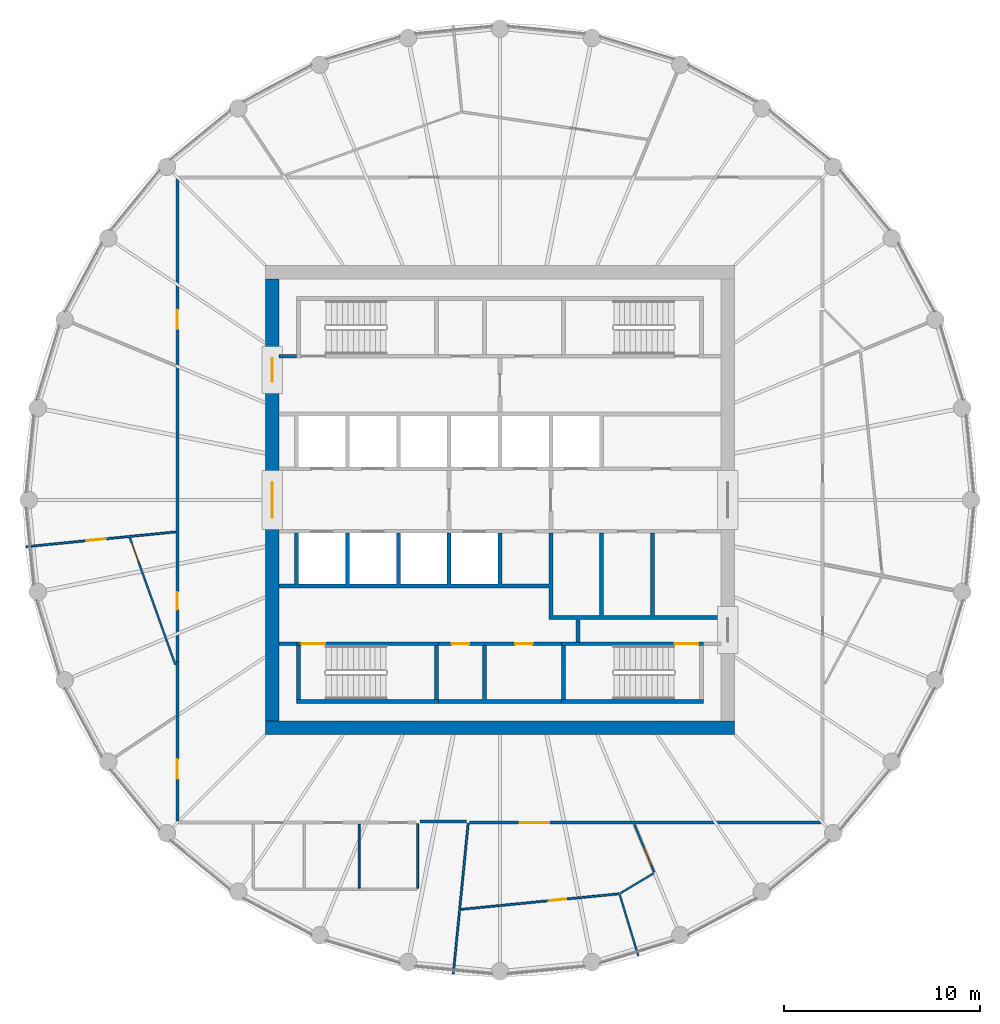
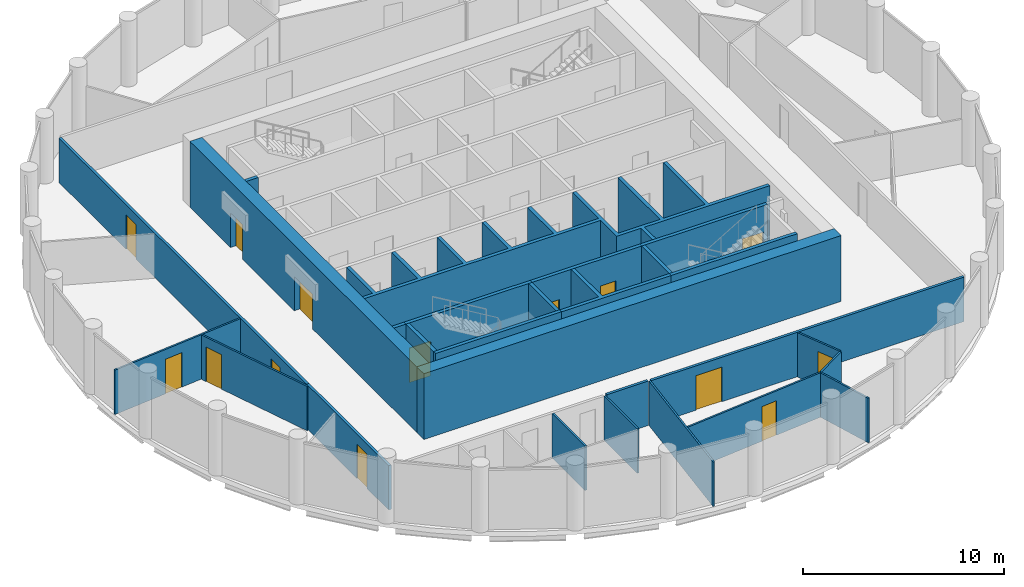
# One storey, part 4 of 8: 27 walls, 14 doors, 14 openings.
"""IFC4 building model written with IfcOpenShell, lengths in metres."""

from ifc_helpers import new_model, si_unit, direction, frame, frame_2d, origin, place, context, subcontext, project, spatial, polyline, rectangle, outline, extrude, material, layer, layer_set, type_object, element, fill, save


model = new_model("IFC4")

# Units and contexts
model_context = context("Model", 3, precision=1e-05, world=origin(), true_north=direction((0.0, 1.0)))
body_context = subcontext(model_context, "Body", "Model", "MODEL_VIEW")
ifc_project = project(units=[si_unit("LENGTHUNIT", "METRE"), si_unit("AREAUNIT", "SQUARE_METRE"), si_unit("VOLUMEUNIT", "CUBIC_METRE"), si_unit("PLANEANGLEUNIT", "RADIAN"), si_unit("MASSUNIT", "GRAM", prefix="KILO")], contexts=[model_context])

# Site, building, storey
site_placement = place(None, origin())
site = spatial("IfcSite", under=ifc_project, at=site_placement, CompositionType="ELEMENT")
building_placement = place(site_placement, origin())
building = spatial("IfcBuilding", under=site, at=building_placement, Name="Corvane Civic Tower", CompositionType="ELEMENT")
storey_placement = place(building_placement, frame((0.0, 0.0, 303.0)))
storey = spatial("IfcBuildingStorey", under=building, at=storey_placement, Name="L72", CompositionType="ELEMENT", Elevation=303.0)

# Wall
ifc_material_1 = material(Name="Concrete C40/50", Category="concrete")
ifc_layer_1 = layer(ifc_material_1, 0.699951171875)
ifc_layer_set_1 = layer_set([ifc_layer_1], Name="Concrete C40/50")
wall_type_1 = type_object("IfcWallType", Name="CORE WALL 700 C40/50", PredefinedType="SHEAR", material=ifc_layer_set_1)
wall_1_placement = place(storey_placement, frame((-12.0, -11.64990234375, 0.0), z_axis=(0.0, 0.0, 1.0), x_axis=(1.0, 0.0, 0.0)))
element("IfcWall", 1, at=wall_1_placement, inside=storey, type_object=wall_type_1, Name="W-L72-core-S", PredefinedType="SHEAR", context=body_context, shape_type="SweptSolid", body=[
    extrude(rectangle(XDim=24.0, YDim=0.699951171875, at=frame_2d((12.0, 0.0))), origin(), (0.0, 0.0, 1.0), 4.0),
])

# Wall, openings, doors
wall_2_placement = place(storey_placement, frame((-11.64990234375, -11.300048828125, 0.0), z_axis=(0.0, 0.0, 1.0), x_axis=(0.0, 1.0, 0.0)))
wall_2 = element("IfcWall", 2, at=wall_2_placement, inside=storey, type_object=wall_type_1, Name="W-L72-core-W", PredefinedType="SHEAR", context=body_context, shape_type="SweptSolid", body=[
    extrude(rectangle(XDim=22.60009765625, YDim=0.699951171875, at=frame_2d((11.300048828125, 0.0))), origin(), (0.0, 0.0, 1.0), 4.0),
])
opening_1_placement = place(wall_2_placement, frame((10.39990234375, 0.0, 0.0)))
opening_1 = element("IfcOpeningElement", 3, at=opening_1_placement, cuts=wall_2, Name="Opening L72.C17", PredefinedType="OPENING", context=body_context, shape_type="SweptSolid", body=[
    extrude(rectangle(XDim=1.800048828125, YDim=2.10009765625, at=frame_2d((0.89990234375, 1.050048828125))), frame((0.0, 0.35986328125, 0.0), z_axis=(0.0, -1.0, 0.0), x_axis=(1.0, 0.0, 0.0)), (0.0, 0.0, 1.0), 0.719970703125),
])
opening_2_placement = place(wall_2_placement, frame((17.35009765625, 0.0, 0.0)))
opening_2 = element("IfcOpeningElement", 4, at=opening_2_placement, cuts=wall_2, Name="Opening L72.C19", PredefinedType="OPENING", context=body_context, shape_type="SweptSolid", body=[
    extrude(rectangle(XDim=1.199951171875, YDim=2.10009765625, at=frame_2d((0.60009765625, 1.050048828125))), frame((0.0, 0.35986328125, 0.0), z_axis=(0.0, -1.0, 0.0), x_axis=(1.0, 0.0, 0.0)), (0.0, 0.0, 1.0), 0.719970703125),
])
ifc_material_2 = material(Name="Steel fire door leaf", Category="steel")
door_type_1 = type_object("IfcDoorType", Name="CR-DOOR-CORE-1800", OperationType="DOUBLE_DOOR_SINGLE_SWING", PredefinedType="DOOR", material=ifc_material_2)
door_1_placement = place(opening_1_placement, origin())
door_1 = element("IfcDoor", 5, at=door_1_placement, inside=storey, type_object=door_type_1, Name="L72 door", OperationType="DOUBLE_DOOR_SINGLE_SWING", OverallHeight=2.10009765625, OverallWidth=1.800048828125, PredefinedType="DOOR", context=body_context, shape_type="SweptSolid", body=[
    extrude(rectangle(XDim=1.800048828125, YDim=2.10009765625, at=frame_2d((0.89990234375, 1.050048828125))), frame((0.0, 0.02490234375, 0.0), z_axis=(0.0, -1.0, 0.0), x_axis=(1.0, 0.0, 0.0)), (0.0, 0.0, 1.0), 0.050048828125),
])
fill(opening_1, door_1)
door_2_placement = place(opening_2_placement, origin())
door_2 = element("IfcDoor", 6, at=door_2_placement, inside=storey, type_object=door_type_1, Name="L72 door", OperationType="DOUBLE_DOOR_SINGLE_SWING", OverallHeight=2.10009765625, OverallWidth=1.199951171875, PredefinedType="DOOR", context=body_context, shape_type="SweptSolid", body=[
    extrude(rectangle(XDim=1.199951171875, YDim=2.10009765625, at=frame_2d((0.60009765625, 1.050048828125))), frame((0.0, 0.02490234375, 0.0), z_axis=(0.0, -1.0, 0.0), x_axis=(1.0, 0.0, 0.0)), (0.0, 0.0, 1.0), 0.050048828125),
])
fill(opening_2, door_2)

ifc_material_3 = material(Name="Concrete C30/37", Category="concrete")
ifc_layer_2 = layer(ifc_material_3, 0.199951171875)
ifc_layer_set_2 = layer_set([ifc_layer_2], Name="Concrete C30/37")
wall_type_2 = type_object("IfcWallType", Name="CR-WALL-200", PredefinedType="PARTITIONING", material=ifc_layer_set_2)
wall_3_placement = place(storey_placement, frame((-3.14990234375, -7.35009765625, 0.0), z_axis=(0.0, 0.0, 1.0), x_axis=(1.0, 0.0, 0.0)))
wall_3 = element("IfcWall", 7, at=wall_3_placement, inside=storey, type_object=wall_type_2, Name="L72 core partition wall", PredefinedType="PARTITIONING", context=body_context, shape_type="SweptSolid", body=[
    extrude(rectangle(XDim=6.2998046875, YDim=0.199951171875, at=frame_2d((3.14990234375, 0.0))), origin(), (0.0, 0.0, 1.0), 3.699951171875),
])
opening_3_placement = place(wall_3_placement, frame((0.675048828125, 0.0, 0.0)))
opening_3 = element("IfcOpeningElement", 8, at=opening_3_placement, cuts=wall_3, Name="Opening L72.C08", PredefinedType="OPENING", context=body_context, shape_type="SweptSolid", body=[
    extrude(rectangle(XDim=0.89990234375, YDim=2.10009765625, at=frame_2d((0.449951171875, 1.050048828125))), frame((0.0, 0.10986328125, 0.0), z_axis=(0.0, -1.0, 0.0), x_axis=(1.0, 0.0, 0.0)), (0.0, 0.0, 1.0), 0.219970703125),
])
opening_4_placement = place(wall_3_placement, frame((3.925048828125, 0.0, 0.0)))
opening_4 = element("IfcOpeningElement", 9, at=opening_4_placement, cuts=wall_3, Name="Opening L72.C09", PredefinedType="OPENING", context=body_context, shape_type="SweptSolid", body=[
    extrude(rectangle(XDim=0.89990234375, YDim=2.10009765625, at=frame_2d((0.449951171875, 1.050048828125))), frame((0.0, 0.10986328125, 0.0), z_axis=(0.0, -1.0, 0.0), x_axis=(1.0, 0.0, 0.0)), (0.0, 0.0, 1.0), 0.219970703125),
])
ifc_material_4 = material(Name="Steel fire door leaf", Category="steel")
door_type_2 = type_object("IfcDoorType", Name="CR-DOOR-900", OperationType="SINGLE_SWING_LEFT", PredefinedType="DOOR", material=ifc_material_4)
door_3_placement = place(opening_3_placement, origin())
door_3 = element("IfcDoor", 10, at=door_3_placement, inside=storey, type_object=door_type_2, Name="L72 door", OperationType="SINGLE_SWING_LEFT", OverallHeight=2.10009765625, OverallWidth=0.89990234375, PredefinedType="DOOR", context=body_context, shape_type="SweptSolid", body=[
    extrude(rectangle(XDim=0.89990234375, YDim=2.10009765625, at=frame_2d((0.449951171875, 1.050048828125))), frame((0.0, 0.02490234375, 0.0), z_axis=(0.0, -1.0, 0.0), x_axis=(1.0, 0.0, 0.0)), (0.0, 0.0, 1.0), 0.050048828125),
])
fill(opening_3, door_3)
door_4_placement = place(opening_4_placement, origin())
door_4 = element("IfcDoor", 11, at=door_4_placement, inside=storey, type_object=door_type_2, Name="L72 door", OperationType="SINGLE_SWING_LEFT", OverallHeight=2.10009765625, OverallWidth=0.89990234375, PredefinedType="DOOR", context=body_context, shape_type="SweptSolid", body=[
    extrude(rectangle(XDim=0.89990234375, YDim=2.10009765625, at=frame_2d((0.449951171875, 1.050048828125))), frame((0.0, 0.02490234375, 0.0), z_axis=(0.0, -1.0, 0.0), x_axis=(1.0, 0.0, 0.0)), (0.0, 0.0, 1.0), 0.050048828125),
])
fill(opening_4, door_4)

# Walls
wall_4_placement = place(storey_placement, origin())
element("IfcWall", 12, at=wall_4_placement, inside=storey, type_object=wall_type_2, Name="L72 core partition wall", PredefinedType="PARTITIONING", context=body_context, shape_type="SweptSolid", body=[
    extrude(outline(polyline([(-10.39990234375, -7.449951171875), (-11.300048828125, -7.449951171875), (-11.300048828125, -7.25), (-10.39990234375, -7.25), (-10.39990234375, -7.449951171875)])), origin(), (0.0, 0.0, 1.0), 3.699951171875),
])
wall_5_placement = place(storey_placement, origin())
element("IfcWall", 13, at=wall_5_placement, inside=storey, type_object=wall_type_2, Name="L72 core partition wall", PredefinedType="PARTITIONING", context=body_context, shape_type="SweptSolid", body=[
    extrude(outline(polyline([(-10.39990234375, 7.25), (-11.300048828125, 7.25), (-11.300048828125, 7.449951171875), (-10.39990234375, 7.449951171875), (-10.39990234375, 7.25)])), origin(), (0.0, 0.0, 1.0), 3.699951171875),
])
wall_6_placement = place(storey_placement, origin())
element("IfcWall", 14, at=wall_6_placement, inside=storey, type_object=wall_type_2, Name="L72 core partition wall", PredefinedType="PARTITIONING", context=body_context, shape_type="SweptSolid", body=[
    extrude(outline(polyline([(-0.699951171875, -7.449951171875), (-0.699951171875, -10.199951171875), (3.14990234375, -10.199951171875), (3.14990234375, -10.39990234375), (-3.14990234375, -10.39990234375), (-3.14990234375, -10.199951171875), (-0.89990234375, -10.199951171875), (-0.89990234375, -7.449951171875), (-0.699951171875, -7.449951171875)])), origin(), (0.0, 0.0, 1.0), 3.699951171875),
])
wall_7_placement = place(storey_placement, origin())
element("IfcWall", 15, at=wall_7_placement, inside=storey, type_object=wall_type_2, Name="L72 core partition wall", PredefinedType="PARTITIONING", context=body_context, shape_type="SweptSolid", body=[
    extrude(outline(polyline([(-10.5, -1.699951171875), (-10.300048828125, -1.699951171875), (-10.300048828125, -4.300048828125), (-7.89990234375, -4.300048828125), (-7.89990234375, -1.699951171875), (-7.699951171875, -1.699951171875), (-7.699951171875, -4.300048828125), (-5.300048828125, -4.300048828125), (-5.300048828125, -1.699951171875), (-5.10009765625, -1.699951171875), (-5.10009765625, -4.300048828125), (-2.699951171875, -4.300048828125), (-2.699951171875, -1.699951171875), (-2.5, -1.699951171875), (-2.5, -4.300048828125), (-0.10009765625, -4.300048828125), (-0.10009765625, -1.699951171875), (0.10009765625, -1.699951171875), (0.10009765625, -4.300048828125), (2.5, -4.300048828125), (2.5, -1.699951171875), (2.699951171875, -1.699951171875), (2.699951171875, -5.89990234375), (5.10009765625, -5.89990234375), (5.10009765625, -1.699951171875), (5.300048828125, -1.699951171875), (5.300048828125, -5.89990234375), (7.699951171875, -5.89990234375), (7.699951171875, -1.699951171875), (7.89990234375, -1.699951171875), (7.89990234375, -5.89990234375), (11.300048828125, -5.89990234375), (11.300048828125, -6.10009765625), (4.10009765625, -6.10009765625), (4.10009765625, -7.25), (3.89990234375, -7.25), (3.89990234375, -6.10009765625), (2.5, -6.10009765625), (2.5, -4.5), (-11.300048828125, -4.5), (-11.300048828125, -4.300048828125), (-10.5, -4.300048828125), (-10.5, -1.699951171875)])), origin(), (0.0, 0.0, 1.0), 3.699951171875),
])
ifc_material_5 = material(Name="Plasterboard")
ifc_layer_3 = layer(ifc_material_5, 0.10009765625)
ifc_layer_set_3 = layer_set([ifc_layer_3], Name="Plasterboard")
wall_type_3 = type_object("IfcWallType", Name="Partition 100 plasterboard on studs", PredefinedType="PARTITIONING", material=ifc_layer_set_3)
wall_8_placement = place(storey_placement, frame((-2.38671875, -24.23291015625, 0.0), z_axis=(0.0, 0.0, 1.0), x_axis=(0.098032968747, 0.995183167582, 0.0)))
element("IfcWall", 16, at=wall_8_placement, inside=storey, type_object=wall_type_3, Name="Partition L72.001", PredefinedType="PARTITIONING", context=body_context, shape_type="SweptSolid", body=[
    extrude(rectangle(XDim=7.72509765625, YDim=0.10009765625, at=frame_2d((3.862548828125, 0.0))), origin(), (0.0, 0.0, 1.0), 2.699951171875),
])
wall_9_placement = place(storey_placement, frame((6.121337890625, -20.17919921875, 0.0), z_axis=(0.0, 0.0, 1.0), x_axis=(0.290298100349, -0.956936263778, 0.0)))
element("IfcWall", 17, at=wall_9_placement, inside=storey, type_object=wall_type_3, Name="Partition L72.002", PredefinedType="PARTITIONING", context=body_context, shape_type="SweptSolid", body=[
    extrude(rectangle(XDim=3.26318359375, YDim=0.10009765625, at=frame_2d((1.631591796875, 0.0))), origin(), (0.0, 0.0, 1.0), 2.699951171875),
])

# Wall, opening, door
wall_10_placement = place(storey_placement, frame((-2.002197265625, -20.93896484375, 0.0), z_axis=(0.0, 0.0, 1.0), x_axis=(0.995184517626, 0.098019262792, 0.0)))
wall_10 = element("IfcWall", 18, at=wall_10_placement, inside=storey, type_object=wall_type_3, Name="Partition L72.003", PredefinedType="PARTITIONING", context=body_context, shape_type="SweptSolid", body=[
    extrude(rectangle(XDim=8.10986328125, YDim=0.10009765625, at=frame_2d((4.054931640625, 0.0))), origin(), (0.0, 0.0, 1.0), 2.699951171875),
])
opening_5_placement = place(wall_10_placement, frame((4.521240234375, 0.0, 0.0)))
opening_5 = element("IfcOpeningElement", 19, at=opening_5_placement, cuts=wall_10, Name="Opening L72.007", PredefinedType="OPENING", context=body_context, shape_type="SweptSolid", body=[
    extrude(rectangle(XDim=0.89990234375, YDim=2.10009765625, at=frame_2d((0.449951171875, 1.050048828125))), frame((0.0, 0.06005859375, 0.0), z_axis=(0.0, -1.0, 0.0), x_axis=(1.0, 0.0, 0.0)), (0.0, 0.0, 1.0), 0.1201171875),
])
ifc_material_6 = material(Name="Timber", Category="wood")
door_type_3 = type_object("IfcDoorType", Name="Single door 900", OperationType="NOTDEFINED", PredefinedType="DOOR", material=ifc_material_6)
door_5_placement = place(opening_5_placement, frame((0.89990234375, 0.0, 0.0), z_axis=(0.0, 0.0, 1.0), x_axis=(-1.0, 0.0, 0.0)))
door_5 = element("IfcDoor", 20, at=door_5_placement, inside=storey, type_object=door_type_3, Name="Door L72.007", OperationType="SINGLE_SWING_LEFT", OverallHeight=2.10009765625, OverallWidth=0.89990234375, PredefinedType="DOOR", context=body_context, shape_type="SweptSolid", body=[
    extrude(rectangle(XDim=0.89990234375, YDim=2.10009765625, at=frame_2d((0.449951171875, 1.050048828125))), frame((0.0, 0.02490234375, 0.0), z_axis=(0.0, -1.0, 0.0), x_axis=(1.0, 0.0, 0.0)), (0.0, 0.0, 1.0), 0.050048828125),
])
fill(opening_5, door_5)

# Walls
wall_11_placement = place(storey_placement, frame((6.142822265625, -20.119873046875, 0.0), z_axis=(0.0, 0.0, 1.0), x_axis=(0.857750904453, 0.514065546317, 0.0)))
element("IfcWall", 21, at=wall_11_placement, inside=storey, type_object=wall_type_3, Name="Partition L72.004", PredefinedType="PARTITIONING", context=body_context, shape_type="SweptSolid", body=[
    extrude(rectangle(XDim=2.003173828125, YDim=0.10009765625, at=frame_2d((1.00146484375, 0.0))), origin(), (0.0, 0.0, 1.0), 2.699951171875),
])
wall_12_placement = place(storey_placement, frame((-7.208251953125, -19.85009765625, 0.0), z_axis=(0.0, 0.0, 1.0), x_axis=(0.0, 1.0, 0.0)))
element("IfcWall", 22, at=wall_12_placement, inside=storey, type_object=wall_type_3, Name="Partition L72.008", PredefinedType="PARTITIONING", context=body_context, shape_type="SweptSolid", body=[
    extrude(rectangle(XDim=3.275146484375, YDim=0.10009765625, at=frame_2d((1.6376953125, 0.0))), origin(), (0.0, 0.0, 1.0), 2.699951171875),
])
wall_13_placement = place(storey_placement, frame((-4.208251953125, -19.85009765625, 0.0), z_axis=(0.0, 0.0, 1.0), x_axis=(0.0, 1.0, 0.0)))
element("IfcWall", 23, at=wall_13_placement, inside=storey, type_object=wall_type_3, Name="Partition L72.009", PredefinedType="PARTITIONING", context=body_context, shape_type="SweptSolid", body=[
    extrude(rectangle(XDim=3.300048828125, YDim=0.10009765625, at=frame_2d((1.64990234375, 0.0))), origin(), (0.0, 0.0, 1.0), 2.699951171875),
])

# Wall, opening, door
wall_14_placement = place(storey_placement, frame((6.87353515625, -16.593994140625, 0.0), z_axis=(0.0, 0.0, 1.0), x_axis=(0.382627334503, -0.923902767011, 0.0)))
wall_14 = element("IfcWall", 24, at=wall_14_placement, inside=storey, type_object=wall_type_3, Name="Partition L72.010", PredefinedType="PARTITIONING", context=body_context, shape_type="SweptSolid", body=[
    extrude(rectangle(XDim=2.634521484375, YDim=0.10009765625, at=frame_2d((1.3173828125, 0.0))), origin(), (0.0, 0.0, 1.0), 2.699951171875),
])
opening_6_placement = place(wall_14_placement, frame((1.270263671875, 0.0, 0.0)))
opening_6 = element("IfcOpeningElement", 25, at=opening_6_placement, cuts=wall_14, Name="Opening L72.006", PredefinedType="OPENING", context=body_context, shape_type="SweptSolid", body=[
    extrude(rectangle(XDim=1.0, YDim=2.10009765625, at=frame_2d((0.5, 1.050048828125))), frame((0.0, 0.06005859375, 0.0), z_axis=(0.0, -1.0, 0.0), x_axis=(1.0, 0.0, 0.0)), (0.0, 0.0, 1.0), 0.1201171875),
])
ifc_material_7 = material(Name="Timber", Category="wood")
door_type_4 = type_object("IfcDoorType", Name="Single door 1000", OperationType="NOTDEFINED", PredefinedType="DOOR", material=ifc_material_7)
door_6_placement = place(opening_6_placement, origin())
door_6 = element("IfcDoor", 26, at=door_6_placement, inside=storey, type_object=door_type_4, Name="Door L72.006", OperationType="SINGLE_SWING_RIGHT", OverallHeight=2.10009765625, OverallWidth=1.0, PredefinedType="DOOR", context=body_context, shape_type="SweptSolid", body=[
    extrude(rectangle(XDim=1.0, YDim=2.10009765625, at=frame_2d((0.5, 1.050048828125))), frame((0.0, 0.02490234375, 0.0), z_axis=(0.0, -1.0, 0.0), x_axis=(1.0, 0.0, 0.0)), (0.0, 0.0, 1.0), 0.050048828125),
])
fill(opening_6, door_6)

wall_15_placement = place(storey_placement, frame((-18.930419921875, -1.927001953125, 0.0), z_axis=(0.0, 0.0, 1.0), x_axis=(0.336876354369, -0.941548895102, 0.0)))
wall_15 = element("IfcWall", 27, at=wall_15_placement, inside=storey, type_object=wall_type_3, Name="Partition L72.018", PredefinedType="PARTITIONING", context=body_context, shape_type="SweptSolid", body=[
    extrude(rectangle(XDim=6.90234375, YDim=0.10009765625, at=frame_2d((3.451171875, 0.0))), origin(), (0.0, 0.0, 1.0), 2.699951171875),
])
opening_7_placement = place(wall_15_placement, frame((0.3037109375, 0.0, 0.0)))
opening_7 = element("IfcOpeningElement", 28, at=opening_7_placement, cuts=wall_15, Name="Opening L72.013", PredefinedType="OPENING", context=body_context, shape_type="SweptSolid", body=[
    extrude(rectangle(XDim=1.0, YDim=2.10009765625, at=frame_2d((0.5, 1.050048828125))), frame((0.0, 0.06005859375, 0.0), z_axis=(0.0, -1.0, 0.0), x_axis=(1.0, 0.0, 0.0)), (0.0, 0.0, 1.0), 0.1201171875),
])
door_7_placement = place(opening_7_placement, frame((1.0, 0.0, 0.0), z_axis=(0.0, 0.0, 1.0), x_axis=(-1.0, 0.0, 0.0)))
door_7 = element("IfcDoor", 29, at=door_7_placement, inside=storey, type_object=door_type_4, Name="Door L72.013", OperationType="SINGLE_SWING_LEFT", OverallHeight=2.10009765625, OverallWidth=1.0, PredefinedType="DOOR", context=body_context, shape_type="SweptSolid", body=[
    extrude(rectangle(XDim=1.0, YDim=2.10009765625, at=frame_2d((0.5, 1.050048828125))), frame((0.0, 0.02490234375, 0.0), z_axis=(0.0, -1.0, 0.0), x_axis=(1.0, 0.0, 0.0)), (0.0, 0.0, 1.0), 0.050048828125),
])
fill(opening_7, door_7)

wall_16_placement = place(storey_placement, frame((-24.23291015625, -2.38671875, 0.0), z_axis=(0.0, 0.0, 1.0), x_axis=(0.995185996344, 0.098004248276, 0.0)))
wall_16 = element("IfcWall", 30, at=wall_16_placement, inside=storey, type_object=wall_type_3, Name="Partition L72.022", PredefinedType="PARTITIONING", context=body_context, shape_type="SweptSolid", body=[
    extrude(rectangle(XDim=7.690185546875, YDim=0.10009765625, at=frame_2d((3.84521484375, 0.0))), origin(), (0.0, 0.0, 1.0), 2.699951171875),
])
opening_8_placement = place(wall_16_placement, frame((3.098388671875, 0.0, 0.0)))
opening_8 = element("IfcOpeningElement", 31, at=opening_8_placement, cuts=wall_16, Name="Opening L72.014", PredefinedType="OPENING", context=body_context, shape_type="SweptSolid", body=[
    extrude(rectangle(XDim=1.0, YDim=2.10009765625, at=frame_2d((0.5, 1.050048828125))), frame((0.0, 0.06005859375, 0.0), z_axis=(0.0, -1.0, 0.0), x_axis=(1.0, 0.0, 0.0)), (0.0, 0.0, 1.0), 0.1201171875),
])
door_8_placement = place(opening_8_placement, origin())
door_8 = element("IfcDoor", 32, at=door_8_placement, inside=storey, type_object=door_type_4, Name="Door L72.014", OperationType="SINGLE_SWING_LEFT", OverallHeight=2.10009765625, OverallWidth=1.0, PredefinedType="DOOR", context=body_context, shape_type="SweptSolid", body=[
    extrude(rectangle(XDim=1.0, YDim=2.10009765625, at=frame_2d((0.5, 1.050048828125))), frame((0.0, 0.02490234375, 0.0), z_axis=(0.0, -1.0, 0.0), x_axis=(1.0, 0.0, 0.0)), (0.0, 0.0, 1.0), 0.050048828125),
])
fill(opening_8, door_8)

ifc_material_8 = material(Name="Concrete C50/60", Category="concrete")
ifc_layer_4 = layer(ifc_material_8, 0.199951171875)
ifc_layer_set_4 = layer_set([ifc_layer_4], Name="Concrete C50/60")
wall_type_4 = type_object("IfcWallType", Name="ST-WALL-200", PredefinedType="SHEAR", material=ifc_layer_set_4)
wall_17_placement = place(storey_placement, frame((-10.39990234375, -7.35009765625, 0.0), z_axis=(0.0, 0.0, 1.0), x_axis=(1.0, 0.0, 0.0)))
wall_17 = element("IfcWall", 33, at=wall_17_placement, inside=storey, type_object=wall_type_4, Name="L72 stair enclosure wall", PredefinedType="SHEAR", context=body_context, shape_type="SweptSolid", body=[
    extrude(rectangle(XDim=7.25, YDim=0.199951171875, at=frame_2d((3.625, 0.0))), origin(), (0.0, 0.0, 1.0), 3.699951171875),
])
opening_9_placement = place(wall_17_placement, frame((0.25, 0.0, 0.0)))
opening_9 = element("IfcOpeningElement", 34, at=opening_9_placement, cuts=wall_17, Name="Opening L72.C13", PredefinedType="OPENING", context=body_context, shape_type="SweptSolid", body=[
    extrude(rectangle(XDim=1.199951171875, YDim=2.10009765625, at=frame_2d((0.60009765625, 1.050048828125))), frame((0.0, 0.10986328125, 0.0), z_axis=(0.0, -1.0, 0.0), x_axis=(1.0, 0.0, 0.0)), (0.0, 0.0, 1.0), 0.219970703125),
])
ifc_material_9 = material(Name="Steel fire door leaf", Category="steel")
door_type_5 = type_object("IfcDoorType", Name="ST-DOOR-1200", OperationType="SINGLE_SWING_RIGHT", PredefinedType="DOOR", material=ifc_material_9)
door_9_placement = place(opening_9_placement, origin())
door_9 = element("IfcDoor", 35, at=door_9_placement, inside=storey, type_object=door_type_5, Name="L72 stair door", OperationType="SINGLE_SWING_RIGHT", OverallHeight=2.10009765625, OverallWidth=1.199951171875, PredefinedType="DOOR", context=body_context, shape_type="SweptSolid", body=[
    extrude(rectangle(XDim=1.199951171875, YDim=2.10009765625, at=frame_2d((0.60009765625, 1.050048828125))), frame((0.0, 0.02490234375, 0.0), z_axis=(0.0, -1.0, 0.0), x_axis=(1.0, 0.0, 0.0)), (0.0, 0.0, 1.0), 0.050048828125),
])
fill(opening_9, door_9)

wall_18_placement = place(storey_placement, frame((3.14990234375, -7.35009765625, 0.0), z_axis=(0.0, 0.0, 1.0), x_axis=(1.0, 0.0, 0.0)))
wall_18 = element("IfcWall", 36, at=wall_18_placement, inside=storey, type_object=wall_type_4, Name="L72 stair enclosure wall", PredefinedType="SHEAR", context=body_context, shape_type="SweptSolid", body=[
    extrude(rectangle(XDim=7.25, YDim=0.199951171875, at=frame_2d((3.625, 0.0))), origin(), (0.0, 0.0, 1.0), 3.699951171875),
])
opening_10_placement = place(wall_18_placement, frame((5.800048828125, 0.0, 0.0)))
opening_10 = element("IfcOpeningElement", 37, at=opening_10_placement, cuts=wall_18, Name="Opening L72.C12", PredefinedType="OPENING", context=body_context, shape_type="SweptSolid", body=[
    extrude(rectangle(XDim=1.199951171875, YDim=2.10009765625, at=frame_2d((0.60009765625, 1.050048828125))), frame((0.0, 0.10986328125, 0.0), z_axis=(0.0, -1.0, 0.0), x_axis=(1.0, 0.0, 0.0)), (0.0, 0.0, 1.0), 0.219970703125),
])
door_10_placement = place(opening_10_placement, origin())
door_10 = element("IfcDoor", 38, at=door_10_placement, inside=storey, type_object=door_type_5, Name="L72 stair door", OperationType="SINGLE_SWING_RIGHT", OverallHeight=2.10009765625, OverallWidth=1.199951171875, PredefinedType="DOOR", context=body_context, shape_type="SweptSolid", body=[
    extrude(rectangle(XDim=1.199951171875, YDim=2.10009765625, at=frame_2d((0.60009765625, 1.050048828125))), frame((0.0, 0.02490234375, 0.0), z_axis=(0.0, -1.0, 0.0), x_axis=(1.0, 0.0, 0.0)), (0.0, 0.0, 1.0), 0.050048828125),
])
fill(opening_10, door_10)

# Walls
wall_19_placement = place(storey_placement, origin())
element("IfcWall", 39, at=wall_19_placement, inside=storey, type_object=wall_type_4, Name="L72 stair enclosure wall", PredefinedType="SHEAR", context=body_context, shape_type="SweptSolid", body=[
    extrude(outline(polyline([(-3.14990234375, -10.199951171875), (-3.14990234375, -10.39990234375), (-10.39990234375, -10.39990234375), (-10.39990234375, -10.199951171875), (-3.14990234375, -10.199951171875)])), origin(), (0.0, 0.0, 1.0), 3.699951171875),
])
wall_20_placement = place(storey_placement, origin())
element("IfcWall", 40, at=wall_20_placement, inside=storey, type_object=wall_type_4, Name="L72 stair enclosure wall", PredefinedType="SHEAR", context=body_context, shape_type="SweptSolid", body=[
    extrude(outline(polyline([(10.39990234375, -10.39990234375), (3.14990234375, -10.39990234375), (3.14990234375, -10.199951171875), (10.39990234375, -10.199951171875), (10.39990234375, -10.39990234375)])), origin(), (0.0, 0.0, 1.0), 3.699951171875),
])
wall_21_placement = place(storey_placement, origin())
element("IfcWall", 41, at=wall_21_placement, inside=storey, type_object=wall_type_4, Name="L72 stair enclosure wall", PredefinedType="SHEAR", context=body_context, shape_type="SweptSolid", body=[
    extrude(outline(polyline([(-3.14990234375, -7.449951171875), (-3.14990234375, -10.199951171875), (-3.35009765625, -10.199951171875), (-3.35009765625, -7.449951171875), (-3.14990234375, -7.449951171875)])), origin(), (0.0, 0.0, 1.0), 3.699951171875),
])
wall_22_placement = place(storey_placement, origin())
element("IfcWall", 42, at=wall_22_placement, inside=storey, type_object=wall_type_4, Name="L72 stair enclosure wall", PredefinedType="SHEAR", context=body_context, shape_type="SweptSolid", body=[
    extrude(outline(polyline([(3.35009765625, -7.449951171875), (3.35009765625, -10.199951171875), (3.14990234375, -10.199951171875), (3.14990234375, -7.449951171875), (3.35009765625, -7.449951171875)])), origin(), (0.0, 0.0, 1.0), 3.699951171875),
])
wall_23_placement = place(storey_placement, origin())
element("IfcWall", 43, at=wall_23_placement, inside=storey, type_object=wall_type_4, Name="L72 stair enclosure wall", PredefinedType="SHEAR", context=body_context, shape_type="SweptSolid", body=[
    extrude(outline(polyline([(-10.199951171875, -7.449951171875), (-10.199951171875, -10.199951171875), (-10.39990234375, -10.199951171875), (-10.39990234375, -7.449951171875), (-10.199951171875, -7.449951171875)])), origin(), (0.0, 0.0, 1.0), 3.699951171875),
])

# Wall, opening, door
ifc_material_10 = material(Name="Plasterboard")
ifc_layer_5 = layer(ifc_material_10, 0.14990234375)
ifc_layer_set_5 = layer_set([ifc_layer_5], Name="Plasterboard")
wall_type_5 = type_object("IfcWallType", Name="Tenancy wall 150 EI 60", PredefinedType="PARTITIONING", material=ifc_layer_set_5)
wall_24_placement = place(storey_placement, frame((-1.55712890625, -16.5, 0.0), z_axis=(0.0, 0.0, 1.0), x_axis=(1.0, 0.0, 0.0)))
wall_24 = element("IfcWall", 44, at=wall_24_placement, inside=storey, type_object=wall_type_5, Name="Partition L72.012", PredefinedType="PARTITIONING", context=body_context, shape_type="SweptSolid", body=[
    extrude(rectangle(XDim=17.982177734375, YDim=0.14990234375, at=frame_2d((8.9912109375, 0.0))), origin(), (0.0, 0.0, 1.0), 2.699951171875),
])
opening_11_placement = place(wall_24_placement, frame((2.563720703125, 0.0, 0.0)))
opening_11 = element("IfcOpeningElement", 45, at=opening_11_placement, cuts=wall_24, Name="Opening L72.008", PredefinedType="OPENING", context=body_context, shape_type="SweptSolid", body=[
    extrude(rectangle(XDim=1.5, YDim=2.10009765625, at=frame_2d((0.75, 1.050048828125))), frame((0.0, 0.0849609375, 0.0), z_axis=(0.0, -1.0, 0.0), x_axis=(1.0, 0.0, 0.0)), (0.0, 0.0, 1.0), 0.169921875),
])
ifc_material_11 = material(Name="Steel and timber", Category="steel")
door_type_6 = type_object("IfcDoorType", Name="Fire door FD60 double 1500", OperationType="NOTDEFINED", PredefinedType="DOOR", material=ifc_material_11)
door_11_placement = place(opening_11_placement, frame((1.5, 0.0, 0.0), z_axis=(0.0, 0.0, 1.0), x_axis=(-1.0, 0.0, 0.0)))
door_11 = element("IfcDoor", 46, at=door_11_placement, inside=storey, type_object=door_type_6, Name="Door L72.008", OperationType="DOUBLE_DOOR_SINGLE_SWING", OverallHeight=2.10009765625, OverallWidth=1.5, PredefinedType="DOOR", context=body_context, shape_type="SweptSolid", body=[
    extrude(rectangle(XDim=1.5, YDim=2.10009765625, at=frame_2d((0.75, 1.050048828125))), frame((0.0, 0.02490234375, 0.0), z_axis=(0.0, -1.0, 0.0), x_axis=(1.0, 0.0, 0.0)), (0.0, 0.0, 1.0), 0.050048828125),
])
fill(opening_11, door_11)

# Wall
wall_25_placement = place(storey_placement, frame((-4.08349609375, -16.449951171875, 0.0), z_axis=(0.0, 0.0, 1.0), x_axis=(1.0, 0.0, 0.0)))
element("IfcWall", 47, at=wall_25_placement, inside=storey, type_object=wall_type_5, Name="Partition L72.013", PredefinedType="PARTITIONING", context=body_context, shape_type="SweptSolid", body=[
    extrude(rectangle(XDim=2.380615234375, YDim=0.14990234375, at=frame_2d((1.1904296875, 0.0))), origin(), (0.0, 0.0, 1.0), 2.699951171875),
])

# Wall, opening, door
wall_26_placement = place(storey_placement, frame((-16.5, -16.425048828125, 0.0), z_axis=(0.0, 0.0, 1.0), x_axis=(0.0, 1.0, 0.0)))
wall_26 = element("IfcWall", 48, at=wall_26_placement, inside=storey, type_object=wall_type_5, Name="Partition L72.014", PredefinedType="PARTITIONING", context=body_context, shape_type="SweptSolid", body=[
    extrude(rectangle(XDim=8.171630859375, YDim=0.14990234375, at=frame_2d((4.0859375, 0.0))), origin(), (0.0, 0.0, 1.0), 2.699951171875),
])
opening_12_placement = place(wall_26_placement, frame((2.16748046875, 0.0, 0.0)))
opening_12 = element("IfcOpeningElement", 49, at=opening_12_placement, cuts=wall_26, Name="Opening L72.009", PredefinedType="OPENING", context=body_context, shape_type="SweptSolid", body=[
    extrude(rectangle(XDim=1.0, YDim=2.10009765625, at=frame_2d((0.5, 1.050048828125))), frame((0.0, 0.0849609375, 0.0), z_axis=(0.0, -1.0, 0.0), x_axis=(1.0, 0.0, 0.0)), (0.0, 0.0, 1.0), 0.169921875),
])
ifc_material_12 = material(Name="Steel and timber", Category="steel")
door_type_7 = type_object("IfcDoorType", Name="Fire door FD30S 1000", OperationType="NOTDEFINED", PredefinedType="DOOR", material=ifc_material_12)
door_12_placement = place(opening_12_placement, origin())
door_12 = element("IfcDoor", 50, at=door_12_placement, inside=storey, type_object=door_type_7, Name="Door L72.009", OperationType="SINGLE_SWING_RIGHT", OverallHeight=2.10009765625, OverallWidth=1.0, PredefinedType="DOOR", context=body_context, shape_type="SweptSolid", body=[
    extrude(rectangle(XDim=1.0, YDim=2.10009765625, at=frame_2d((0.5, 1.050048828125))), frame((0.0, 0.02490234375, 0.0), z_axis=(0.0, -1.0, 0.0), x_axis=(1.0, 0.0, 0.0)), (0.0, 0.0, 1.0), 0.050048828125),
])
fill(opening_12, door_12)

# Wall, openings, doors
wall_27_placement = place(storey_placement, frame((-16.5, -8.25341796875, 0.0), z_axis=(0.0, 0.0, 1.0), x_axis=(0.0, 1.0, 0.0)))
wall_27 = element("IfcWall", 51, at=wall_27_placement, inside=storey, type_object=wall_type_5, Name="Partition L72.019", PredefinedType="PARTITIONING", context=body_context, shape_type="SweptSolid", body=[
    extrude(rectangle(XDim=24.678466796875, YDim=0.14990234375, at=frame_2d((12.33935546875, 0.0))), origin(), (0.0, 0.0, 1.0), 2.699951171875),
])
opening_13_placement = place(wall_27_placement, frame((2.64794921875, 0.0, 0.0)))
opening_13 = element("IfcOpeningElement", 52, at=opening_13_placement, cuts=wall_27, Name="Opening L72.015", PredefinedType="OPENING", context=body_context, shape_type="SweptSolid", body=[
    extrude(rectangle(XDim=0.89990234375, YDim=2.10009765625, at=frame_2d((0.449951171875, 1.050048828125))), frame((0.0, 0.0849609375, 0.0), z_axis=(0.0, -1.0, 0.0), x_axis=(1.0, 0.0, 0.0)), (0.0, 0.0, 1.0), 0.169921875),
])
opening_14_placement = place(wall_27_placement, frame((16.98486328125, 0.0, 0.0)))
opening_14 = element("IfcOpeningElement", 53, at=opening_14_placement, cuts=wall_27, Name="Opening L72.016", PredefinedType="OPENING", context=body_context, shape_type="SweptSolid", body=[
    extrude(rectangle(XDim=1.0, YDim=2.10009765625, at=frame_2d((0.5, 1.050048828125))), frame((0.0, 0.0849609375, 0.0), z_axis=(0.0, -1.0, 0.0), x_axis=(1.0, 0.0, 0.0)), (0.0, 0.0, 1.0), 0.169921875),
])
door_13_placement = place(opening_14_placement, origin())
door_13 = element("IfcDoor", 54, at=door_13_placement, inside=storey, type_object=door_type_7, Name="Door L72.016", OperationType="SINGLE_SWING_LEFT", OverallHeight=2.10009765625, OverallWidth=1.0, PredefinedType="DOOR", context=body_context, shape_type="SweptSolid", body=[
    extrude(rectangle(XDim=1.0, YDim=2.10009765625, at=frame_2d((0.5, 1.050048828125))), frame((0.0, 0.02490234375, 0.0), z_axis=(0.0, -1.0, 0.0), x_axis=(1.0, 0.0, 0.0)), (0.0, 0.0, 1.0), 0.050048828125),
])
fill(opening_14, door_13)
ifc_material_13 = material(Name="Steel and timber", Category="steel")
door_type_8 = type_object("IfcDoorType", Name="Fire door FD30S 900", OperationType="NOTDEFINED", PredefinedType="DOOR", material=ifc_material_13)
door_14_placement = place(opening_13_placement, origin())
door_14 = element("IfcDoor", 55, at=door_14_placement, inside=storey, type_object=door_type_8, Name="Door L72.015", OperationType="SINGLE_SWING_RIGHT", OverallHeight=2.10009765625, OverallWidth=0.89990234375, PredefinedType="DOOR", context=body_context, shape_type="SweptSolid", body=[
    extrude(rectangle(XDim=0.89990234375, YDim=2.10009765625, at=frame_2d((0.449951171875, 1.050048828125))), frame((0.0, 0.02490234375, 0.0), z_axis=(0.0, -1.0, 0.0), x_axis=(1.0, 0.0, 0.0)), (0.0, 0.0, 1.0), 0.050048828125),
])
fill(opening_13, door_14)

save(model, "model.ifc")
